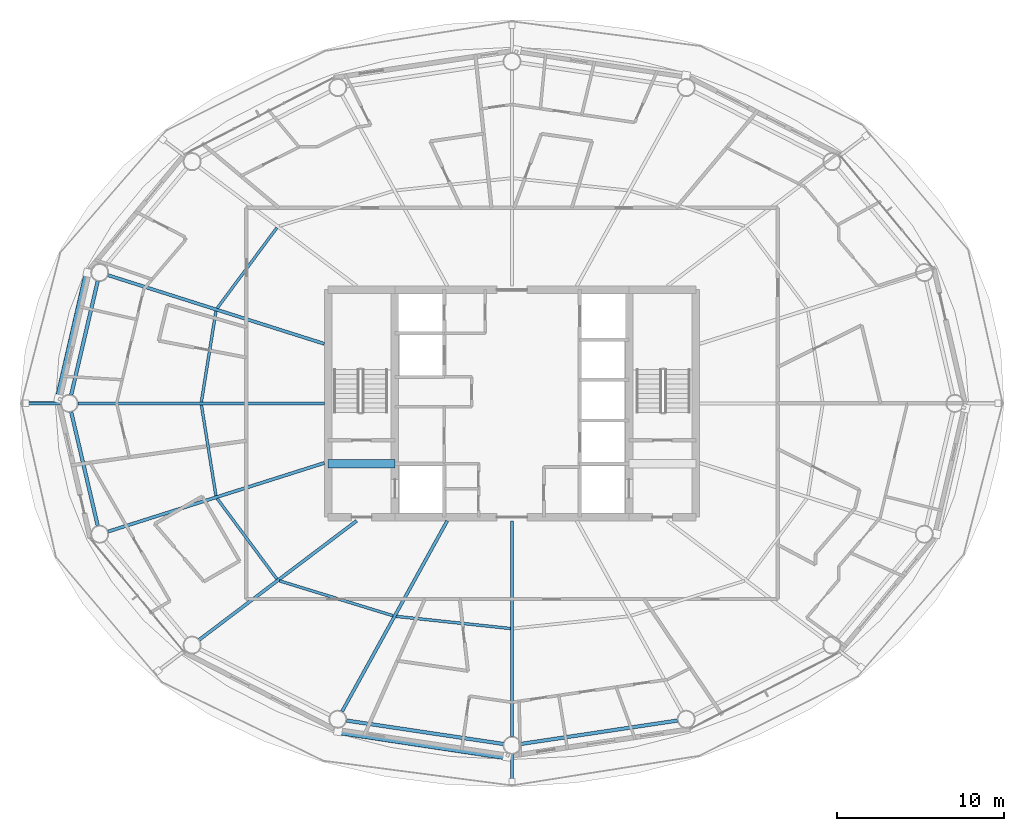
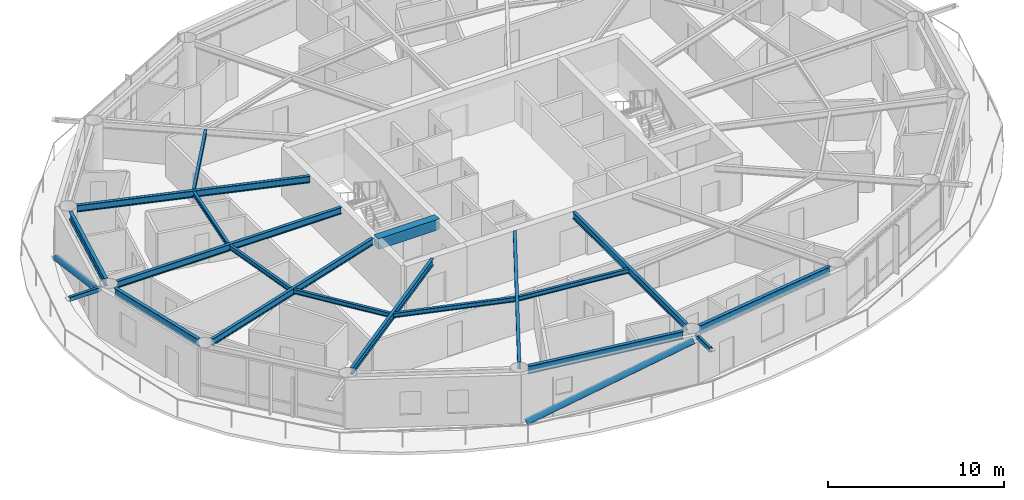
# One storey, part 4 of 29: 17 beams, 4 members.
"""IFC4 building model written with IfcOpenShell, lengths in metres."""

from ifc_helpers import new_model, si_unit, direction, frame, origin, origin_2d, place, context, subcontext, project, spatial, rectangle, hollow_rectangle, hollow_circle, i_section, extrude, material, material_profile, profile_set, type_object, element, save


model = new_model("IFC4")

# Units and contexts
model_context = context("Model", 3, precision=1e-05, world=origin(), true_north=direction((0.0, 1.0)))
body_context = subcontext(model_context, "Body", "Model", "MODEL_VIEW")
ifc_project = project(units=[si_unit("LENGTHUNIT", "METRE"), si_unit("AREAUNIT", "SQUARE_METRE"), si_unit("VOLUMEUNIT", "CUBIC_METRE"), si_unit("PLANEANGLEUNIT", "RADIAN"), si_unit("MASSUNIT", "GRAM", prefix="KILO")], contexts=[model_context])

# Site, building, storey
site_placement = place(None, origin())
site = spatial("IfcSite", under=ifc_project, at=site_placement, CompositionType="ELEMENT")
building_placement = place(site_placement, origin())
building = spatial("IfcBuilding", under=site, at=building_placement, Name="Sarneth Arch Tower", CompositionType="ELEMENT")
storey_placement = place(building_placement, frame((0.0, 0.0, 175.800048828125)))
storey = spatial("IfcBuildingStorey", under=building, at=storey_placement, Name="L44", CompositionType="ELEMENT", Elevation=175.800048828125)

# Beams
ifc_material_1 = material(Name="Steel S355", Category="steel")
ifc_material_profile_1 = material_profile(ifc_material_1, i_section(OverallWidth=0.1669921875, OverallDepth=0.31689453125, WebThickness=0.007568359375, FlangeThickness=0.01318359375, FilletRadius=0.012939453125, at=origin_2d()), Name="W310x52")
ifc_profile_set_1 = profile_set([ifc_material_profile_1], Name="Steel S355")
beam_type_1 = type_object("IfcBeamType", Name="BM-JOIST-310B", PredefinedType="JOIST", material=ifc_profile_set_1)
beam_1_placement = place(storey_placement, frame((33.937255859375, 52.5068359375, 3.221435546875), z_axis=(-0.595933334016, -0.803033910497, 0.0), x_axis=(0.803033910497, -0.595933334016, 0.0)))
element("IfcBeam", 1, at=beam_1_placement, inside=storey, type_object=beam_type_1, Name="L44 Secondary floor joist 07", PredefinedType="JOIST", context=body_context, shape_type="SweptSolid", body=[
    extrude(i_section(OverallWidth=0.1669921875, OverallDepth=0.31689453125, WebThickness=0.007568359375, FlangeThickness=0.01318359375, FilletRadius=0.012939453125, at=origin_2d()), origin(), (0.0, 0.0, 1.0), 5.99560546875),
])
for number, where, z_axis, x_axis, name in (
    (2, (30.291259765625, 47.519287109375, 3.221435546875), (-0.158262632389, -0.987397052451, 0.0), (0.987397052451, -0.158262632389, 0.0), "L44 Secondary floor joist 08"),
    (3, (29.421875, 41.90478515625, 3.221435546875), (0.158262632389, -0.987397052451, 0.0), (0.987397052451, 0.158262632389, 0.0), "L44 Secondary floor joist 09"),
):
    element("IfcBeam", number, at=place(storey_placement, frame(where, z_axis=z_axis, x_axis=x_axis)), inside=storey, type_object=beam_type_1, Name=name, PredefinedType="JOIST", context=body_context, shape_type="SweptSolid", body=[
        extrude(i_section(OverallWidth=0.1669921875, OverallDepth=0.31689453125, WebThickness=0.007568359375, FlangeThickness=0.01318359375, FilletRadius=0.012939453125, at=origin_2d()), origin(), (0.0, 0.0, 1.0), 5.493408203125),
    ])
beam_2_placement = place(storey_placement, frame((30.3642578125, 36.307861328125, 3.221435546875), z_axis=(0.595933334016, -0.803033910497, 0.0), x_axis=(0.803033910497, 0.595933334016, 0.0)))
element("IfcBeam", 4, at=beam_2_placement, inside=storey, type_object=beam_type_1, Name="L44 Secondary floor joist 10", PredefinedType="JOIST", context=body_context, shape_type="SweptSolid", body=[
    extrude(i_section(OverallWidth=0.1669921875, OverallDepth=0.31689453125, WebThickness=0.007568359375, FlangeThickness=0.01318359375, FilletRadius=0.012939453125, at=origin_2d()), origin(), (0.0, 0.0, 1.0), 5.99560546875),
])
beam_3_placement = place(storey_placement, frame((34.087158203125, 31.38720703125, 3.221435546875), z_axis=(0.955929549608, -0.293596144707, 0.0), x_axis=(0.293596144707, 0.955929549608, 0.0)))
element("IfcBeam", 5, at=beam_3_placement, inside=storey, type_object=beam_type_1, Name="L44 Secondary floor joist 11", PredefinedType="JOIST", context=body_context, shape_type="SweptSolid", body=[
    extrude(i_section(OverallWidth=0.1669921875, OverallDepth=0.31689453125, WebThickness=0.007568359375, FlangeThickness=0.01318359375, FilletRadius=0.012939453125, at=origin_2d()), origin(), (0.0, 0.0, 1.0), 7.1123046875),
])
beam_4_placement = place(storey_placement, frame((41.07421875, 29.260498046875, 3.221435546875), z_axis=(0.994407831942, -0.105608066799, 0.0), x_axis=(0.105608066799, 0.994407831942, 0.0)))
element("IfcBeam", 6, at=beam_4_placement, inside=storey, type_object=beam_type_1, Name="L44 Secondary floor joist 12", PredefinedType="JOIST", context=body_context, shape_type="SweptSolid", body=[
    extrude(i_section(OverallWidth=0.1669921875, OverallDepth=0.31689453125, WebThickness=0.007568359375, FlangeThickness=0.01318359375, FilletRadius=0.012939453125, at=origin_2d()), origin(), (0.0, 0.0, 1.0), 6.8681640625),
])
ifc_material_2 = material(Name="Concrete C50/60", Category="concrete")
ifc_material_profile_2 = material_profile(ifc_material_2, rectangle(XDim=0.5, YDim=0.75, at=origin_2d()), Name="RC-500x750")
ifc_profile_set_2 = profile_set([ifc_material_profile_2], Name="Concrete C50/60")
beam_type_2 = type_object("IfcBeamType", Name="BM-LINTEL-RC", PredefinedType="LINTEL", material=ifc_profile_set_2)
beam_5_placement = place(storey_placement, frame((37.0, 38.39990234375, 3.0048828125), z_axis=(1.0, 0.0, 0.0), x_axis=(0.0, 1.0, 0.0)))
element("IfcBeam", 7, at=beam_5_placement, inside=storey, type_object=beam_type_2, Name="L44 Core coupling lintel W", PredefinedType="LINTEL", context=body_context, shape_type="SweptSolid", body=[
    extrude(rectangle(XDim=0.5, YDim=0.75, at=origin_2d()), origin(), (0.0, 0.0, 1.0), 4.0),
])
ifc_material_3 = material(Name="Steel S355", Category="steel")
ifc_material_profile_3 = material_profile(ifc_material_3, i_section(OverallWidth=0.193115234375, OverallDepth=0.466064453125, WebThickness=0.011474609375, FlangeThickness=0.01904296875, FilletRadius=0.01806640625, at=origin_2d()), Name="W460x97")
ifc_profile_set_3 = profile_set([ifc_material_profile_3], Name="Steel S355")
beam_type_3 = type_object("IfcBeamType", Name="BM-RAD-460C", PredefinedType="BEAM", material=ifc_profile_set_3)
beam_6_placement = place(storey_placement, frame((36.77490234375, 45.56201171875, 3.14697265625), z_axis=(-0.953163620049, 0.302455142815, 0.0), x_axis=(-0.302455142815, -0.953163620049, 0.0)))
element("IfcBeam", 8, at=beam_6_placement, inside=storey, type_object=beam_type_3, Name="L44 Radial floor girder 08", PredefinedType="BEAM", context=body_context, shape_type="SweptSolid", body=[
    extrude(i_section(OverallWidth=0.193115234375, OverallDepth=0.466064453125, WebThickness=0.011474609375, FlangeThickness=0.01904296875, FilletRadius=0.01806640625, at=origin_2d()), origin(), (0.0, 0.0, 1.0), 13.572265625),
])
beam_7_placement = place(storey_placement, frame((36.77490234375, 42.0, 3.14697265625), z_axis=(-1.0, 0.0, 0.0), x_axis=(0.0, -1.0, 0.0)))
element("IfcBeam", 9, at=beam_7_placement, inside=storey, type_object=beam_type_3, Name="L44 Radial floor girder 09", PredefinedType="BEAM", context=body_context, shape_type="SweptSolid", body=[
    extrude(i_section(OverallWidth=0.193115234375, OverallDepth=0.466064453125, WebThickness=0.011474609375, FlangeThickness=0.01904296875, FilletRadius=0.01806640625, at=origin_2d()), origin(), (0.0, 0.0, 1.0), 14.73681640625),
])
beam_8_placement = place(storey_placement, frame((36.77490234375, 38.43798828125, 3.14697265625), z_axis=(-0.953163620049, -0.302455142815, 0.0), x_axis=(0.302455142815, -0.953163620049, 0.0)))
element("IfcBeam", 10, at=beam_8_placement, inside=storey, type_object=beam_type_3, Name="L44 Radial floor girder 10", PredefinedType="BEAM", context=body_context, shape_type="SweptSolid", body=[
    extrude(i_section(OverallWidth=0.193115234375, OverallDepth=0.466064453125, WebThickness=0.011474609375, FlangeThickness=0.01904296875, FilletRadius=0.01806640625, at=origin_2d()), origin(), (0.0, 0.0, 1.0), 13.572265625),
])
beam_9_placement = place(storey_placement, frame((38.70458984375, 34.97509765625, 3.14697265625), z_axis=(-0.797786205076, -0.602940437349, 0.0), x_axis=(0.602940437349, -0.797786205076, 0.0)))
element("IfcBeam", 11, at=beam_9_placement, inside=storey, type_object=beam_type_3, Name="L44 Radial floor girder 11", PredefinedType="BEAM", context=body_context, shape_type="SweptSolid", body=[
    extrude(i_section(OverallWidth=0.193115234375, OverallDepth=0.466064453125, WebThickness=0.011474609375, FlangeThickness=0.01904296875, FilletRadius=0.01806640625, at=origin_2d()), origin(), (0.0, 0.0, 1.0), 11.806884765625),
])
beam_10_placement = place(storey_placement, frame((44.125, 34.97509765625, 3.14697265625), z_axis=(-0.483004525121, -0.87561785541, 0.0), x_axis=(0.87561785541, -0.483004525121, 0.0)))
element("IfcBeam", 12, at=beam_10_placement, inside=storey, type_object=beam_type_3, Name="L44 Radial floor girder 12", PredefinedType="BEAM", context=body_context, shape_type="SweptSolid", body=[
    extrude(i_section(OverallWidth=0.193115234375, OverallDepth=0.466064453125, WebThickness=0.011474609375, FlangeThickness=0.01904296875, FilletRadius=0.01806640625, at=origin_2d()), origin(), (0.0, 0.0, 1.0), 13.029296875),
])
beam_11_placement = place(storey_placement, frame((48.0, 34.97509765625, 3.14697265625), z_axis=(0.0, -1.0, 0.0), x_axis=(1.0, 0.0, 0.0)))
element("IfcBeam", 13, at=beam_11_placement, inside=storey, type_object=beam_type_3, Name="L44 Radial floor girder 13", PredefinedType="BEAM", context=body_context, shape_type="SweptSolid", body=[
    extrude(i_section(OverallWidth=0.193115234375, OverallDepth=0.466064453125, WebThickness=0.011474609375, FlangeThickness=0.01904296875, FilletRadius=0.01806640625, at=origin_2d()), origin(), (0.0, 0.0, 1.0), 12.900146484375),
])
ifc_material_4 = material(Name="Steel S355", Category="steel")
ifc_material_profile_4 = material_profile(ifc_material_4, i_section(OverallWidth=0.214111328125, OverallDepth=0.549072265625, WebThickness=0.0146484375, FlangeThickness=0.023681640625, FilletRadius=0.01806640625, at=origin_2d()), Name="W530x138")
ifc_profile_set_4 = profile_set([ifc_material_profile_4], Name="Steel S355")
beam_type_4 = type_object("IfcBeamType", Name="BM-RAD-530A", PredefinedType="BEAM", material=ifc_profile_set_4)
for number, where, z_axis, x_axis, name in (
    (14, (23.21875, 49.314697265625, 3.10546875), (-0.22708709918, -0.973874452579, 0.0), (0.973874452579, -0.22708709918, 0.0), "L44 Perimeter spandrel beam 08"),
    (15, (21.63232421875, 41.48876953125, 3.10546875), (0.22708709918, -0.973874452579, 0.0), (0.973874452579, 0.22708709918, 0.0), "L44 Perimeter spandrel beam 09"),
):
    element("IfcBeam", number, at=place(storey_placement, frame(where, z_axis=z_axis, x_axis=x_axis)), inside=storey, type_object=beam_type_4, Name=name, PredefinedType="BEAM", context=body_context, shape_type="SweptSolid", body=[
        extrude(i_section(OverallWidth=0.214111328125, OverallDepth=0.549072265625, WebThickness=0.0146484375, FlangeThickness=0.023681640625, FilletRadius=0.01806640625, at=origin_2d()), origin(), (0.0, 0.0, 1.0), 6.986083984375),
    ])
for number, where, z_axis, x_axis, name in (
    (16, (38.097412109375, 23.029052734375, 3.10546875), (0.989027145133, -0.14773390332, 0.0), (0.14773390332, 0.989027145133, 0.0), "L44 Perimeter spandrel beam 12"),
    (17, (48.519287109375, 21.62744140625, 3.10546875), (0.989027145133, 0.14773390332, 0.0), (-0.14773390332, 0.989027145133, 0.0), "L44 Perimeter spandrel beam 13"),
):
    element("IfcBeam", number, at=place(storey_placement, frame(where, z_axis=z_axis, x_axis=x_axis)), inside=storey, type_object=beam_type_4, Name=name, PredefinedType="BEAM", context=body_context, shape_type="SweptSolid", body=[
        extrude(i_section(OverallWidth=0.214111328125, OverallDepth=0.549072265625, WebThickness=0.0146484375, FlangeThickness=0.023681640625, FilletRadius=0.01806640625, at=origin_2d()), origin(), (0.0, 0.0, 1.0), 9.4873046875),
    ])

# Members
ifc_material_5 = material(Name="Steel S355", Category="steel")
ifc_material_profile_5 = material_profile(ifc_material_5, hollow_rectangle(XDim=0.199951171875, YDim=0.300048828125, WallThickness=0.012451171875, InnerFilletRadius=0.018798828125, OuterFilletRadius=0.03125, at=origin_2d()), Name="RHS300x200x12.5")
ifc_profile_set_5 = profile_set([ifc_material_profile_5], Name="Steel S355")
member_type_1 = type_object("IfcMemberType", Name="MEM-CANT-STRUT", PredefinedType="STRUT", material=ifc_profile_set_5)
member_1_placement = place(storey_placement, frame((20.988037109375, 42.0, 3.219970703125), z_axis=(-1.0, 0.0, 0.0), x_axis=(0.0, -1.0, 0.0)))
element("IfcMember", 18, at=member_1_placement, inside=storey, type_object=member_type_1, Name="L44 Balcony cantilever bracket 09", PredefinedType="STRUT", context=body_context, shape_type="SweptSolid", body=[
    extrude(hollow_rectangle(XDim=0.199951171875, YDim=0.300048828125, WallThickness=0.012451171875, InnerFilletRadius=0.018798828125, OuterFilletRadius=0.03125, at=origin_2d()), origin(), (0.0, 0.0, 1.0), 2.060791015625),
])
member_2_placement = place(storey_placement, frame((48.0, 21.02490234375, 3.219970703125), z_axis=(0.0, -1.0, 0.0), x_axis=(1.0, 0.0, 0.0)))
element("IfcMember", 19, at=member_2_placement, inside=storey, type_object=member_type_1, Name="L44 Balcony cantilever bracket 13", PredefinedType="STRUT", context=body_context, shape_type="SweptSolid", body=[
    extrude(hollow_rectangle(XDim=0.199951171875, YDim=0.300048828125, WallThickness=0.012451171875, InnerFilletRadius=0.018798828125, OuterFilletRadius=0.03125, at=origin_2d()), origin(), (0.0, 0.0, 1.0), 1.63916015625),
])
ifc_material_6 = material(Name="Steel S355", Category="steel")
ifc_material_profile_6 = material_profile(ifc_material_6, hollow_circle(Radius=0.202880859375, WallThickness=0.01611328125, at=origin_2d()), Name="CHS406x16")
ifc_profile_set_6 = profile_set([ifc_material_profile_6], Name="Steel S355")
member_type_2 = type_object("IfcMemberType", Name="MEM-DIAG-BR2", PredefinedType="BRACE", material=ifc_profile_set_6)
member_3_placement = place(storey_placement, frame((22.609619140625, 49.81298828125, 0.02001953125), z_axis=(-0.209646277215, -0.90691666474, 0.365445757488), x_axis=(0.974306903917, -0.225224459107, 0.0)))
element("IfcMember", 20, at=member_3_placement, inside=storey, type_object=member_type_2, Name="L44 Perimeter frame diagonal 08", PredefinedType="BRACE", context=body_context, shape_type="SweptSolid", body=[
    extrude(hollow_circle(Radius=0.202880859375, WallThickness=0.01611328125, at=origin_2d()), origin(), (0.0, 0.0, 1.0), 8.292724609375),
])
member_4_placement = place(storey_placement, frame((37.595703125, 22.387451171875, 0.02001953125), z_axis=(0.948052912183, -0.142822782379, 0.284248708942), x_axis=(0.148967610144, 0.988842075929, 0.0)))
element("IfcMember", 21, at=member_4_placement, inside=storey, type_object=member_type_2, Name="L44 Perimeter frame diagonal 12", PredefinedType="BRACE", context=body_context, shape_type="SweptSolid", body=[
    extrude(hollow_circle(Radius=0.202880859375, WallThickness=0.01611328125, at=origin_2d()), origin(), (0.0, 0.0, 1.0), 10.66162109375),
])

save(model, "model.ifc")
